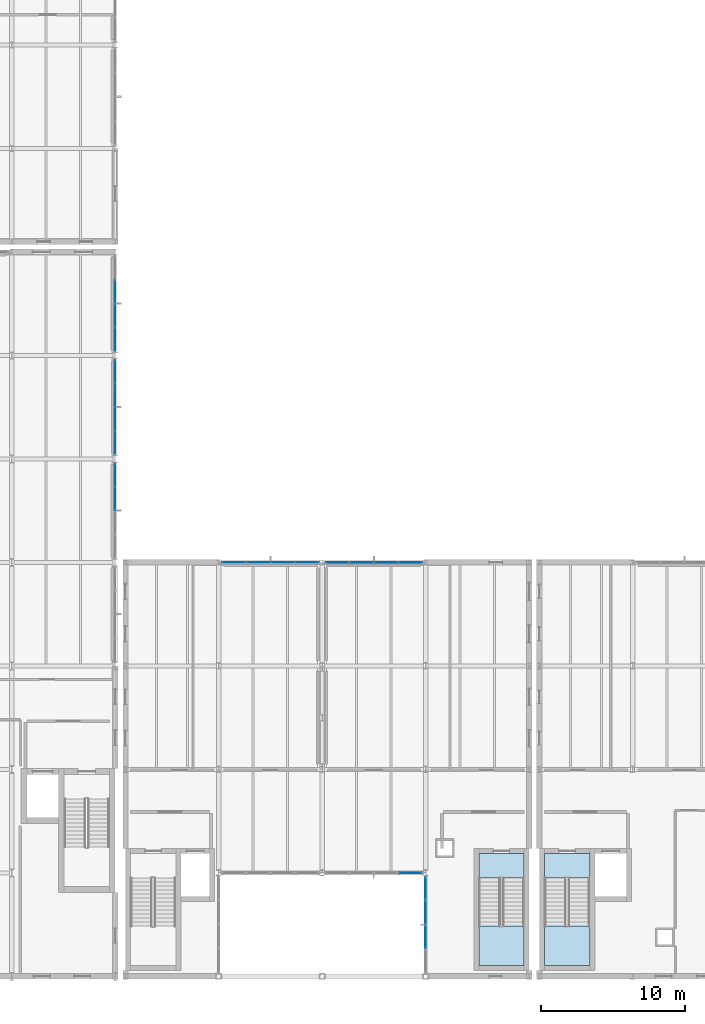
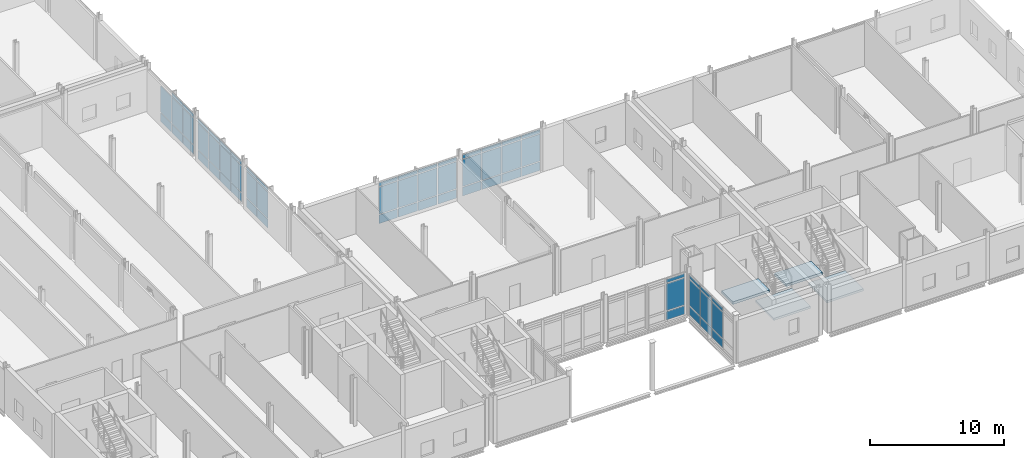
# One storey, part 36 of 76: 62 plates, 4 slabs, 9 elements without a shape of their own.
"""IFC4 building model written with IfcOpenShell, lengths in metres."""

import ifcopenshell
import ifcopenshell.guid

model = None  # the IFC model being written
_history = None  # IfcOwnerHistory: only IFC2X3 demands one
_inside = {}  # id of a spatial element -> (the spatial element, [elements in it])
_under = {}  # id of a project, library or spatial element -> (it, [spatial elements below it])
_declared = {}  # id of a project -> (the project, [libraries it declares])
_typed = {}  # id of a type object -> (the type object, [elements of that type])
_made_of = {}  # id of a material, layer set ... -> (it, [elements and type objects made of it])


def new_model(schema):
    """Start an empty IFC model of exactly this schema.

    Asked for "IFC4X3", IfcOpenShell would pick the latest addendum, in which some entities
    have other attributes; the version numbers below select the first issue.
    IFC2X3 requires an IfcOwnerHistory on every rooted entity: one is made here for all.
    """
    global model, _history
    if schema == "IFC4X3":
        model = ifcopenshell.file(schema_version=(4, 3, 0, 0))
    else:
        model = ifcopenshell.file(schema=schema)
    _inside.clear()
    _under.clear()
    _declared.clear()
    _typed.clear()
    _made_of.clear()
    _history = None
    if model.schema == "IFC2X3":
        org = make("IfcOrganization", Name="unknown")
        user = make(
            "IfcPersonAndOrganization",
            ThePerson=make("IfcPerson", FamilyName="unknown"),
            TheOrganization=org,
        )
        app = make(
            "IfcApplication",
            ApplicationDeveloper=org,
            Version="unknown",
            ApplicationFullName="unknown",
            ApplicationIdentifier="unknown",
        )
        _history = make(
            "IfcOwnerHistory",
            OwningUser=user,
            OwningApplication=app,
            ChangeAction="ADDED",
            CreationDate=0,
        )
    return model


def make(cls, **values):
    """One entity of the class cls with the attributes given. An attribute that is None is left unset."""
    return model.create_entity(
        cls, **{name: value for name, value in values.items() if value is not None}
    )


def rooted(cls, **values):
    """An entity with a GlobalId (a new one), such as an element, a storey or a relation."""
    return make(cls, GlobalId=ifcopenshell.guid.new(), OwnerHistory=_history, **values)


def si_unit(unit_type, name, prefix=None):
    """IfcSIUnit, for example si_unit("LENGTHUNIT", "METRE", prefix="MILLI")."""
    return make("IfcSIUnit", UnitType=unit_type, Prefix=prefix, Name=name)


def assignment(units):
    """IfcUnitAssignment: the units of a project."""
    return None if units is None else make("IfcUnitAssignment", Units=units)


def point(xyz):
    """IfcCartesianPoint."""
    return None if xyz is None else make("IfcCartesianPoint", Coordinates=xyz)


def direction(xyz):
    """IfcDirection."""
    return None if xyz is None else make("IfcDirection", DirectionRatios=xyz)


def frame(location, z_axis=None, x_axis=None):
    """IfcAxis2Placement3D, a coordinate frame: its origin and axes. An axis left out is left unset."""
    return make(
        "IfcAxis2Placement3D",
        Location=point(location),
        Axis=direction(z_axis),
        RefDirection=direction(x_axis),
    )


def frame_2d(location, x_axis=None):
    """IfcAxis2Placement2D, a coordinate frame in the plane: its origin and x axis."""
    return make(
        "IfcAxis2Placement2D", Location=point(location), RefDirection=direction(x_axis)
    )


def origin():
    """The frame at (0, 0, 0) with its axes left unset."""
    return frame((0.0, 0.0, 0.0))


def origin_2d():
    """The frame at (0, 0) in the plane with its x axis left unset."""
    return frame_2d((0.0, 0.0))


def place(relative_to, where):
    """IfcLocalPlacement: puts the frame where relative to a parent placement (None: the world)."""
    return make(
        "IfcLocalPlacement", PlacementRelTo=relative_to, RelativePlacement=where
    )


def context(
    kind, dimensions, precision=None, world=None, true_north=None, identifier=None
):
    """IfcGeometricRepresentationContext, for example the 3D "Model" context."""
    return make(
        "IfcGeometricRepresentationContext",
        ContextIdentifier=identifier,
        ContextType=kind,
        CoordinateSpaceDimension=dimensions,
        Precision=precision,
        WorldCoordinateSystem=world,
        TrueNorth=true_north,
    )


def subcontext(parent, identifier, kind, view, scale=None):
    """IfcGeometricRepresentationSubContext, for example "Body" below "Model"."""
    return make(
        "IfcGeometricRepresentationSubContext",
        ContextIdentifier=identifier,
        ContextType=kind,
        ParentContext=parent,
        TargetScale=scale,
        TargetView=view,
    )


def project(units=None, contexts=None):
    """IfcProject with its units and contexts."""
    return rooted(
        "IfcProject",
        Name="project",
        RepresentationContexts=contexts,
        UnitsInContext=assignment(units),
    )


def spatial(cls, under=None, at=None, **own):
    """A site, building, storey or space (cls), placed at a placement, below another one or the project."""
    s = rooted(cls, ObjectPlacement=at, **own)
    if under is not None:
        _under.setdefault(under.id(), (under, []))[1].append(s)
    return s


def polyline(points):
    """IfcPolyline through the points."""
    return make("IfcPolyline", Points=[point(p) for p in points])


def profile(cls, at=None, kind="AREA", **sizes):
    """A parametric profile (cls). Its sizes go by their IFC names, for example OverallWidth=200.0."""
    return make(cls, ProfileType=kind, Position=at, **sizes)


def rectangle(**sizes):
    """IfcRectangleProfileDef."""
    return profile("IfcRectangleProfileDef", **sizes)


def outline(outer, holes=None, kind="AREA"):
    """IfcArbitraryClosedProfileDef: a profile drawn as a closed curve; with holes, ...WithVoids."""
    if holes is None:
        return make("IfcArbitraryClosedProfileDef", ProfileType=kind, OuterCurve=outer)
    return make(
        "IfcArbitraryProfileDefWithVoids",
        ProfileType=kind,
        OuterCurve=outer,
        InnerCurves=holes,
    )


def extrude(swept, where, along, depth):
    """IfcExtrudedAreaSolid: the profile swept, set in the frame where, extruded along a direction by depth."""
    return make(
        "IfcExtrudedAreaSolid",
        SweptArea=swept,
        Position=where,
        ExtrudedDirection=direction(along),
        Depth=depth,
    )


def shape(context_of_items, identifier, shape_type, items):
    """IfcShapeRepresentation: the items that make up one representation, for example the "Body"."""
    return make(
        "IfcShapeRepresentation",
        ContextOfItems=context_of_items,
        RepresentationIdentifier=identifier,
        RepresentationType=shape_type,
        Items=items,
    )


def material(Name=None, Category=None):
    """IfcMaterial."""
    return make("IfcMaterial", Name=Name, Category=Category)


def layer(
    of_material, thickness, ventilated=None, Name=None, Category=None, Priority=None
):
    """IfcMaterialLayer: one layer of a wall or slab, of a material (None: an air gap)."""
    return make(
        "IfcMaterialLayer",
        Material=of_material,
        LayerThickness=thickness,
        IsVentilated=ventilated,
        Name=Name,
        Category=Category,
        Priority=Priority,
    )


def layer_set(layers, Name=None):
    """IfcMaterialLayerSet."""
    return make("IfcMaterialLayerSet", MaterialLayers=layers, LayerSetName=Name)


def made_of(thing, what):
    """Note that an element or type object is made of a material, layer set ...; save() writes the relation."""
    if what is not None:
        _made_of.setdefault(what.id(), (what, []))[1].append(thing)
    return thing


def type_object(cls, material=None, **own):
    """A type object (cls), such as IfcWallType, which elements share."""
    return made_of(rooted(cls, **own), material)


def element(
    cls,
    number,
    at=None,
    inside=None,
    cuts=None,
    type_object=None,
    material=None,
    context=None,
    identifier="Body",
    shape_type=None,
    held_by="IfcProductDefinitionShape",
    body=None,
    shapes=None,
    **own,
):
    """One element of the class cls, such as IfcWall. Its Tag is "e" and its number.

    at: its placement. inside: the storey or other place that contains it. cuts: it is an
    opening in that element (IfcRelVoidsElement). A single representation is given by context,
    identifier, shape_type and body (its items); several are given by shapes. held_by: the class
    of the entity that holds the representations. save() writes the other relations.
    """
    e = rooted(cls, Tag="e%d" % number, ObjectPlacement=at, **own)
    if body is not None:
        shapes = [shape(context, identifier, shape_type, body)]
    if shapes is not None:
        e.Representation = make(held_by, Representations=shapes)
    if inside is not None:
        _inside.setdefault(inside.id(), (inside, []))[1].append(e)
    if cuts is not None:
        rooted(
            "IfcRelVoidsElement", RelatingBuildingElement=cuts, RelatedOpeningElement=e
        )
    if type_object is not None:
        _typed.setdefault(type_object.id(), (type_object, []))[1].append(e)
    return made_of(e, material)


def aggregate(whole, parts):
    """IfcRelAggregates: a whole, such as a stair, and the parts it consists of."""
    return rooted("IfcRelAggregates", RelatingObject=whole, RelatedObjects=parts)


def save(model, path):
    """Write the relations noted so far, then the file.

    IfcRelAggregates (storeys below a building ...), IfcRelContainedInSpatialStructure (elements
    in a storey), IfcRelDefinesByType, IfcRelAssociatesMaterial and IfcRelDeclares: one each for
    every whole, place, type object, material and project.
    """
    for whole, parts in _under.values():
        aggregate(whole, parts)
    for where, things in _inside.values():
        rooted(
            "IfcRelContainedInSpatialStructure",
            RelatedElements=things,
            RelatingStructure=where,
        )
    for kind, things in _typed.values():
        rooted("IfcRelDefinesByType", RelatedObjects=things, RelatingType=kind)
    for what, things in _made_of.values():
        rooted("IfcRelAssociatesMaterial", RelatedObjects=things, RelatingMaterial=what)
    for by, libraries in _declared.values():
        rooted("IfcRelDeclares", RelatingContext=by, RelatedDefinitions=libraries)
    model.write(path)


model = new_model("IFC4")

# Units and contexts
model_context = context("Model", 3, precision=1e-05, world=origin(), true_north=direction((0.0, 1.0)))
body_context = subcontext(model_context, "Body", "Model", "MODEL_VIEW")
ifc_project = project(units=[si_unit("LENGTHUNIT", "METRE"), si_unit("AREAUNIT", "SQUARE_METRE"), si_unit("VOLUMEUNIT", "CUBIC_METRE"), si_unit("PLANEANGLEUNIT", "RADIAN"), si_unit("MASSUNIT", "GRAM", prefix="KILO")], contexts=[model_context])

# Site, building, storey
site_placement = place(None, origin())
site = spatial("IfcSite", under=ifc_project, at=site_placement, CompositionType="ELEMENT")
building_placement = place(site_placement, origin())
building = spatial("IfcBuilding", under=site, at=building_placement, Name="Zarrinpeak Specialist Clinic", CompositionType="ELEMENT")
storey_placement = place(building_placement, frame((0.0, 0.0, 5.199951171875)))
storey = spatial("IfcBuildingStorey", under=building, at=storey_placement, Name="L01", CompositionType="ELEMENT", Elevation=5.199951171875)

# Curtain wall, plates
ifc_material_1 = material(Name="Anodised Aluminium Alloy 6063-T6", Category="aluminium")
ifc_layer_1 = layer(ifc_material_1, 0.179931640625)
ifc_layer_set_1 = layer_set([ifc_layer_1], Name="Anodised Aluminium Alloy 6063-T6")
curtain_wall_type_1 = type_object("IfcCurtainWallType", Name="CW-COURT", PredefinedType="NOTDEFINED", material=ifc_layer_set_1)
curtain_wall_1_placement = place(storey_placement, origin())
curtain_wall_1 = element("IfcCurtainWall", 1, at=curtain_wall_1_placement, inside=storey, type_object=curtain_wall_type_1, Name="L01 V1 Unitised Curtain Wall CW-L01-V1-010", PredefinedType="NOTDEFINED")
ifc_material_2 = material(Name="Double Low-E Insulated Glazing", Category="glass")
ifc_layer_2 = layer(ifc_material_2, 0.028076171875)
ifc_layer_set_2 = layer_set([ifc_layer_2], Name="Double Low-E Insulated Glazing")
plate_type = type_object("IfcPlateType", Name="CWP-GLZ28", PredefinedType="CURTAIN_PANEL", material=ifc_layer_set_2)
plate_1_placement = place(storey_placement, frame((28.800048828125, 33.231201171875, 0.074951171875), z_axis=(0.0, 0.0, 1.0), x_axis=(0.0, 1.0, 0.0)))
plate_1 = element("IfcPlate", 2, at=plate_1_placement, type_object=plate_type, Name="CW-01 panel 3.1", PredefinedType="CURTAIN_PANEL", context=body_context, shape_type="SweptSolid", body=[
    extrude(rectangle(XDim=1.58740234375, YDim=0.028076171875, at=origin_2d()), origin(), (0.0, 0.0, 1.0), 0.78759765625),
])
plate_2_placement = place(storey_placement, frame((28.800048828125, 33.231201171875, 0.9375), z_axis=(0.0, 0.0, 1.0), x_axis=(0.0, 1.0, 0.0)))
plate_2 = element("IfcPlate", 3, at=plate_2_placement, type_object=plate_type, Name="CW-01 panel 3.2", PredefinedType="CURTAIN_PANEL", context=body_context, shape_type="SweptSolid", body=[
    extrude(rectangle(XDim=1.58740234375, YDim=0.028076171875, at=origin_2d()), origin(), (0.0, 0.0, 1.0), 2.385009765625),
])
plate_3_placement = place(storey_placement, frame((28.800048828125, 33.231201171875, 3.397705078125), z_axis=(0.0, 0.0, 1.0), x_axis=(0.0, 1.0, 0.0)))
plate_3 = element("IfcPlate", 4, at=plate_3_placement, type_object=plate_type, Name="CW-01 panel 3.3", PredefinedType="CURTAIN_PANEL", context=body_context, shape_type="SweptSolid", body=[
    extrude(rectangle(XDim=1.58740234375, YDim=0.028076171875, at=origin_2d()), origin(), (0.0, 0.0, 1.0), 0.33740234375),
])
plate_4_placement = place(storey_placement, frame((28.800048828125, 34.875, 0.074951171875), z_axis=(0.0, 0.0, 1.0), x_axis=(0.0, 1.0, 0.0)))
plate_4 = element("IfcPlate", 5, at=plate_4_placement, type_object=plate_type, Name="CW-01 panel 4.1", PredefinedType="CURTAIN_PANEL", context=body_context, shape_type="SweptSolid", body=[
    extrude(rectangle(XDim=1.550048828125, YDim=0.028076171875, at=origin_2d()), origin(), (0.0, 0.0, 1.0), 0.78759765625),
])
plate_5_placement = place(storey_placement, frame((28.800048828125, 34.875, 0.9375), z_axis=(0.0, 0.0, 1.0), x_axis=(0.0, 1.0, 0.0)))
plate_5 = element("IfcPlate", 6, at=plate_5_placement, type_object=plate_type, Name="CW-01 panel 4.2", PredefinedType="CURTAIN_PANEL", context=body_context, shape_type="SweptSolid", body=[
    extrude(rectangle(XDim=1.550048828125, YDim=0.028076171875, at=origin_2d()), origin(), (0.0, 0.0, 1.0), 2.385009765625),
])
plate_6_placement = place(storey_placement, frame((28.800048828125, 34.875, 3.397705078125), z_axis=(0.0, 0.0, 1.0), x_axis=(0.0, 1.0, 0.0)))
plate_6 = element("IfcPlate", 7, at=plate_6_placement, type_object=plate_type, Name="CW-01 panel 4.3", PredefinedType="CURTAIN_PANEL", context=body_context, shape_type="SweptSolid", body=[
    extrude(rectangle(XDim=1.550048828125, YDim=0.028076171875, at=origin_2d()), origin(), (0.0, 0.0, 1.0), 0.33740234375),
])
aggregate(curtain_wall_1, [plate_1, plate_2, plate_3, plate_4, plate_5, plate_6])

curtain_wall_2_placement = place(storey_placement, origin())
curtain_wall_2 = element("IfcCurtainWall", 8, at=curtain_wall_2_placement, inside=storey, type_object=curtain_wall_type_1, Name="L01 V1 Unitised Curtain Wall CW-L01-V1-011", PredefinedType="NOTDEFINED")
plate_7_placement = place(storey_placement, frame((28.800048828125, 37.128173828125, 0.074951171875), z_axis=(0.0, 0.0, 1.0), x_axis=(0.0, 1.0, 0.0)))
plate_7 = element("IfcPlate", 9, at=plate_7_placement, type_object=plate_type, Name="CW-01 panel 1.1", PredefinedType="CURTAIN_PANEL", context=body_context, shape_type="SweptSolid", body=[
    extrude(rectangle(XDim=1.55615234375, YDim=0.028076171875, at=origin_2d()), origin(), (0.0, 0.0, 1.0), 0.78759765625),
])
plate_8_placement = place(storey_placement, frame((28.800048828125, 37.128173828125, 0.9375), z_axis=(0.0, 0.0, 1.0), x_axis=(0.0, 1.0, 0.0)))
plate_8 = element("IfcPlate", 10, at=plate_8_placement, type_object=plate_type, Name="CW-01 panel 1.2", PredefinedType="CURTAIN_PANEL", context=body_context, shape_type="SweptSolid", body=[
    extrude(rectangle(XDim=1.55615234375, YDim=0.028076171875, at=origin_2d()), origin(), (0.0, 0.0, 1.0), 2.385009765625),
])
plate_9_placement = place(storey_placement, frame((28.800048828125, 37.128173828125, 3.397705078125), z_axis=(0.0, 0.0, 1.0), x_axis=(0.0, 1.0, 0.0)))
plate_9 = element("IfcPlate", 11, at=plate_9_placement, type_object=plate_type, Name="CW-01 panel 1.3", PredefinedType="CURTAIN_PANEL", context=body_context, shape_type="SweptSolid", body=[
    extrude(rectangle(XDim=1.55615234375, YDim=0.028076171875, at=origin_2d()), origin(), (0.0, 0.0, 1.0), 0.33740234375),
])
plate_10_placement = place(storey_placement, frame((28.800048828125, 38.778076171875, 0.074951171875), z_axis=(0.0, 0.0, 1.0), x_axis=(0.0, 1.0, 0.0)))
plate_10 = element("IfcPlate", 12, at=plate_10_placement, type_object=plate_type, Name="CW-01 panel 2.1", PredefinedType="CURTAIN_PANEL", context=body_context, shape_type="SweptSolid", body=[
    extrude(rectangle(XDim=1.59375, YDim=0.028076171875, at=origin_2d()), origin(), (0.0, 0.0, 1.0), 0.78759765625),
])
plate_11_placement = place(storey_placement, frame((28.800048828125, 38.778076171875, 0.9375), z_axis=(0.0, 0.0, 1.0), x_axis=(0.0, 1.0, 0.0)))
plate_11 = element("IfcPlate", 13, at=plate_11_placement, type_object=plate_type, Name="CW-01 panel 2.2", PredefinedType="CURTAIN_PANEL", context=body_context, shape_type="SweptSolid", body=[
    extrude(rectangle(XDim=1.59375, YDim=0.028076171875, at=origin_2d()), origin(), (0.0, 0.0, 1.0), 2.385009765625),
])
plate_12_placement = place(storey_placement, frame((28.800048828125, 38.778076171875, 3.397705078125), z_axis=(0.0, 0.0, 1.0), x_axis=(0.0, 1.0, 0.0)))
plate_12 = element("IfcPlate", 14, at=plate_12_placement, type_object=plate_type, Name="CW-01 panel 2.3", PredefinedType="CURTAIN_PANEL", context=body_context, shape_type="SweptSolid", body=[
    extrude(rectangle(XDim=1.59375, YDim=0.028076171875, at=origin_2d()), origin(), (0.0, 0.0, 1.0), 0.33740234375),
])
plate_13_placement = place(storey_placement, frame((28.800048828125, 40.44677734375, 0.074951171875), z_axis=(0.0, 0.0, 1.0), x_axis=(0.0, 1.0, 0.0)))
plate_13 = element("IfcPlate", 15, at=plate_13_placement, type_object=plate_type, Name="CW-01 panel 3.1", PredefinedType="CURTAIN_PANEL", context=body_context, shape_type="SweptSolid", body=[
    extrude(rectangle(XDim=1.59375, YDim=0.028076171875, at=origin_2d()), origin(), (0.0, 0.0, 1.0), 0.78759765625),
])
plate_14_placement = place(storey_placement, frame((28.800048828125, 40.44677734375, 0.9375), z_axis=(0.0, 0.0, 1.0), x_axis=(0.0, 1.0, 0.0)))
plate_14 = element("IfcPlate", 16, at=plate_14_placement, type_object=plate_type, Name="CW-01 panel 3.2", PredefinedType="CURTAIN_PANEL", context=body_context, shape_type="SweptSolid", body=[
    extrude(rectangle(XDim=1.59375, YDim=0.028076171875, at=origin_2d()), origin(), (0.0, 0.0, 1.0), 2.385009765625),
])
plate_15_placement = place(storey_placement, frame((28.800048828125, 40.44677734375, 3.397705078125), z_axis=(0.0, 0.0, 1.0), x_axis=(0.0, 1.0, 0.0)))
plate_15 = element("IfcPlate", 17, at=plate_15_placement, type_object=plate_type, Name="CW-01 panel 3.3", PredefinedType="CURTAIN_PANEL", context=body_context, shape_type="SweptSolid", body=[
    extrude(rectangle(XDim=1.59375, YDim=0.028076171875, at=origin_2d()), origin(), (0.0, 0.0, 1.0), 0.33740234375),
])
plate_16_placement = place(storey_placement, frame((28.800048828125, 42.096923828125, 0.074951171875), z_axis=(0.0, 0.0, 1.0), x_axis=(0.0, 1.0, 0.0)))
plate_16 = element("IfcPlate", 18, at=plate_16_placement, type_object=plate_type, Name="CW-01 panel 4.1", PredefinedType="CURTAIN_PANEL", context=body_context, shape_type="SweptSolid", body=[
    extrude(rectangle(XDim=1.55615234375, YDim=0.028076171875, at=origin_2d()), origin(), (0.0, 0.0, 1.0), 0.78759765625),
])
plate_17_placement = place(storey_placement, frame((28.800048828125, 42.096923828125, 0.9375), z_axis=(0.0, 0.0, 1.0), x_axis=(0.0, 1.0, 0.0)))
plate_17 = element("IfcPlate", 19, at=plate_17_placement, type_object=plate_type, Name="CW-01 panel 4.2", PredefinedType="CURTAIN_PANEL", context=body_context, shape_type="SweptSolid", body=[
    extrude(rectangle(XDim=1.55615234375, YDim=0.028076171875, at=origin_2d()), origin(), (0.0, 0.0, 1.0), 2.385009765625),
])
plate_18_placement = place(storey_placement, frame((28.800048828125, 42.096923828125, 3.397705078125), z_axis=(0.0, 0.0, 1.0), x_axis=(0.0, 1.0, 0.0)))
plate_18 = element("IfcPlate", 20, at=plate_18_placement, type_object=plate_type, Name="CW-01 panel 4.3", PredefinedType="CURTAIN_PANEL", context=body_context, shape_type="SweptSolid", body=[
    extrude(rectangle(XDim=1.55615234375, YDim=0.028076171875, at=origin_2d()), origin(), (0.0, 0.0, 1.0), 0.33740234375),
])
aggregate(curtain_wall_2, [plate_7, plate_8, plate_9, plate_10, plate_11, plate_12, plate_13, plate_14, plate_15, plate_16, plate_17, plate_18])

curtain_wall_3_placement = place(storey_placement, origin())
curtain_wall_3 = element("IfcCurtainWall", 21, at=curtain_wall_3_placement, inside=storey, type_object=curtain_wall_type_1, Name="L01 V1 Unitised Curtain Wall CW-L01-V1-012", PredefinedType="NOTDEFINED")
plate_19_placement = place(storey_placement, frame((28.800048828125, 44.309326171875, 0.074951171875), z_axis=(0.0, 0.0, 1.0), x_axis=(0.0, 1.0, 0.0)))
plate_19 = element("IfcPlate", 22, at=plate_19_placement, type_object=plate_type, Name="CW-01 panel 1.1", PredefinedType="CURTAIN_PANEL", context=body_context, shape_type="SweptSolid", body=[
    extrude(rectangle(XDim=1.56884765625, YDim=0.028076171875, at=origin_2d()), origin(), (0.0, 0.0, 1.0), 0.78759765625),
])
plate_20_placement = place(storey_placement, frame((28.800048828125, 44.309326171875, 0.9375), z_axis=(0.0, 0.0, 1.0), x_axis=(0.0, 1.0, 0.0)))
plate_20 = element("IfcPlate", 23, at=plate_20_placement, type_object=plate_type, Name="CW-01 panel 1.2", PredefinedType="CURTAIN_PANEL", context=body_context, shape_type="SweptSolid", body=[
    extrude(rectangle(XDim=1.56884765625, YDim=0.028076171875, at=origin_2d()), origin(), (0.0, 0.0, 1.0), 2.385009765625),
])
plate_21_placement = place(storey_placement, frame((28.800048828125, 44.309326171875, 3.397705078125), z_axis=(0.0, 0.0, 1.0), x_axis=(0.0, 1.0, 0.0)))
plate_21 = element("IfcPlate", 24, at=plate_21_placement, type_object=plate_type, Name="CW-01 panel 1.3", PredefinedType="CURTAIN_PANEL", context=body_context, shape_type="SweptSolid", body=[
    extrude(rectangle(XDim=1.56884765625, YDim=0.028076171875, at=origin_2d()), origin(), (0.0, 0.0, 1.0), 0.33740234375),
])
plate_22_placement = place(storey_placement, frame((28.800048828125, 45.971923828125, 0.074951171875), z_axis=(0.0, 0.0, 1.0), x_axis=(0.0, 1.0, 0.0)))
plate_22 = element("IfcPlate", 25, at=plate_22_placement, type_object=plate_type, Name="CW-01 panel 2.1", PredefinedType="CURTAIN_PANEL", context=body_context, shape_type="SweptSolid", body=[
    extrude(rectangle(XDim=1.606201171875, YDim=0.028076171875, at=origin_2d()), origin(), (0.0, 0.0, 1.0), 0.78759765625),
])
plate_23_placement = place(storey_placement, frame((28.800048828125, 45.971923828125, 0.9375), z_axis=(0.0, 0.0, 1.0), x_axis=(0.0, 1.0, 0.0)))
plate_23 = element("IfcPlate", 26, at=plate_23_placement, type_object=plate_type, Name="CW-01 panel 2.2", PredefinedType="CURTAIN_PANEL", context=body_context, shape_type="SweptSolid", body=[
    extrude(rectangle(XDim=1.606201171875, YDim=0.028076171875, at=origin_2d()), origin(), (0.0, 0.0, 1.0), 2.385009765625),
])
plate_24_placement = place(storey_placement, frame((28.800048828125, 45.971923828125, 3.397705078125), z_axis=(0.0, 0.0, 1.0), x_axis=(0.0, 1.0, 0.0)))
plate_24 = element("IfcPlate", 27, at=plate_24_placement, type_object=plate_type, Name="CW-01 panel 2.3", PredefinedType="CURTAIN_PANEL", context=body_context, shape_type="SweptSolid", body=[
    extrude(rectangle(XDim=1.606201171875, YDim=0.028076171875, at=origin_2d()), origin(), (0.0, 0.0, 1.0), 0.33740234375),
])
plate_25_placement = place(storey_placement, frame((28.800048828125, 47.653076171875, 0.074951171875), z_axis=(0.0, 0.0, 1.0), x_axis=(0.0, 1.0, 0.0)))
plate_25 = element("IfcPlate", 28, at=plate_25_placement, type_object=plate_type, Name="CW-01 panel 3.1", PredefinedType="CURTAIN_PANEL", context=body_context, shape_type="SweptSolid", body=[
    extrude(rectangle(XDim=1.606201171875, YDim=0.028076171875, at=origin_2d()), origin(), (0.0, 0.0, 1.0), 0.78759765625),
])
plate_26_placement = place(storey_placement, frame((28.800048828125, 47.653076171875, 0.9375), z_axis=(0.0, 0.0, 1.0), x_axis=(0.0, 1.0, 0.0)))
plate_26 = element("IfcPlate", 29, at=plate_26_placement, type_object=plate_type, Name="CW-01 panel 3.2", PredefinedType="CURTAIN_PANEL", context=body_context, shape_type="SweptSolid", body=[
    extrude(rectangle(XDim=1.606201171875, YDim=0.028076171875, at=origin_2d()), origin(), (0.0, 0.0, 1.0), 2.385009765625),
])
aggregate(curtain_wall_3, [plate_19, plate_20, plate_21, plate_22, plate_23, plate_24, plate_25, plate_26])

ifc_layer_3 = layer(ifc_material_1, 0.18994140625)
ifc_layer_set_3 = layer_set([ifc_layer_3], Name="Anodised Aluminium Alloy 6063-T6")
curtain_wall_type_2 = type_object("IfcCurtainWallType", Name="CW-LOGGIA", PredefinedType="NOTDEFINED", material=ifc_layer_set_3)
curtain_wall_4_placement = place(storey_placement, origin())
curtain_wall_4 = element("IfcCurtainWall", 30, at=curtain_wall_4_placement, inside=storey, type_object=curtain_wall_type_2, Name="L01 V2 Unitised Curtain Wall CW-L01-V2-046", PredefinedType="NOTDEFINED")
plate_27_placement = place(storey_placement, frame((49.34619140625, 7.199951171875, 0.09033203125), z_axis=(0.0, 0.0, 1.0), x_axis=(1.0, 0.0, 0.0)))
plate_27 = element("IfcPlate", 31, at=plate_27_placement, type_object=plate_type, Name="CW-04 panel 4.1", PredefinedType="CURTAIN_PANEL", context=body_context, shape_type="SweptSolid", body=[
    extrude(rectangle(XDim=1.577392578125, YDim=0.028076171875, at=origin_2d()), origin(), (0.0, 0.0, 1.0), 0.764892578125),
])
plate_28_placement = place(storey_placement, frame((49.34619140625, 7.199951171875, 0.945068359375), z_axis=(0.0, 0.0, 1.0), x_axis=(1.0, 0.0, 0.0)))
plate_28 = element("IfcPlate", 32, at=plate_28_placement, type_object=plate_type, Name="CW-04 panel 4.2", PredefinedType="CURTAIN_PANEL", context=body_context, shape_type="SweptSolid", body=[
    extrude(rectangle(XDim=1.577392578125, YDim=0.028076171875, at=origin_2d()), origin(), (0.0, 0.0, 1.0), 2.43994140625),
])
plate_29_placement = place(storey_placement, frame((49.34619140625, 7.199951171875, 3.47509765625), z_axis=(0.0, 0.0, 1.0), x_axis=(1.0, 0.0, 0.0)))
plate_29 = element("IfcPlate", 33, at=plate_29_placement, type_object=plate_type, Name="CW-04 panel 4.3", PredefinedType="CURTAIN_PANEL", context=body_context, shape_type="SweptSolid", body=[
    extrude(rectangle(XDim=1.577392578125, YDim=0.028076171875, at=origin_2d()), origin(), (0.0, 0.0, 1.0), 0.31494140625),
])
aggregate(curtain_wall_4, [plate_27, plate_28, plate_29])

curtain_wall_5_placement = place(storey_placement, origin())
curtain_wall_5 = element("IfcCurtainWall", 34, at=curtain_wall_5_placement, inside=storey, type_object=curtain_wall_type_2, Name="L01 V2 Unitised Curtain Wall CW-L01-V2-048", PredefinedType="NOTDEFINED")
plate_30_placement = place(storey_placement, frame((50.39990234375, 6.109130859375, 0.09033203125), z_axis=(0.0, 0.0, 1.0), x_axis=(0.0, -1.0, 0.0)))
plate_30 = element("IfcPlate", 35, at=plate_30_placement, type_object=plate_type, Name="CW-04 panel 1.1", PredefinedType="CURTAIN_PANEL", context=body_context, shape_type="SweptSolid", body=[
    extrude(rectangle(XDim=1.5517578125, YDim=0.028076171875, at=origin_2d()), origin(), (0.0, 0.0, 1.0), 0.764892578125),
])
plate_31_placement = place(storey_placement, frame((50.39990234375, 6.109130859375, 0.945068359375), z_axis=(0.0, 0.0, 1.0), x_axis=(0.0, -1.0, 0.0)))
plate_31 = element("IfcPlate", 36, at=plate_31_placement, type_object=plate_type, Name="CW-04 panel 1.2", PredefinedType="CURTAIN_PANEL", context=body_context, shape_type="SweptSolid", body=[
    extrude(rectangle(XDim=1.5517578125, YDim=0.028076171875, at=origin_2d()), origin(), (0.0, 0.0, 1.0), 2.3701171875),
])
plate_32_placement = place(storey_placement, frame((50.39990234375, 6.109130859375, 3.405029296875), z_axis=(0.0, 0.0, 1.0), x_axis=(0.0, -1.0, 0.0)))
plate_32 = element("IfcPlate", 37, at=plate_32_placement, type_object=plate_type, Name="CW-04 panel 1.3", PredefinedType="CURTAIN_PANEL", context=body_context, shape_type="SweptSolid", body=[
    extrude(rectangle(XDim=1.5517578125, YDim=0.028076171875, at=origin_2d()), origin(), (0.0, 0.0, 1.0), 0.31494140625),
])
plate_33_placement = place(storey_placement, frame((50.39990234375, 4.445068359375, 0.09033203125), z_axis=(0.0, 0.0, 1.0), x_axis=(0.0, -1.0, 0.0)))
plate_33 = element("IfcPlate", 38, at=plate_33_placement, type_object=plate_type, Name="CW-04 panel 2.1", PredefinedType="CURTAIN_PANEL", context=body_context, shape_type="SweptSolid", body=[
    extrude(rectangle(XDim=1.5966796875, YDim=0.028076171875, at=origin_2d()), origin(), (0.0, 0.0, 1.0), 0.764892578125),
])
plate_34_placement = place(storey_placement, frame((50.39990234375, 4.445068359375, 0.945068359375), z_axis=(0.0, 0.0, 1.0), x_axis=(0.0, -1.0, 0.0)))
plate_34 = element("IfcPlate", 39, at=plate_34_placement, type_object=plate_type, Name="CW-04 panel 2.2", PredefinedType="CURTAIN_PANEL", context=body_context, shape_type="SweptSolid", body=[
    extrude(rectangle(XDim=1.5966796875, YDim=0.028076171875, at=origin_2d()), origin(), (0.0, 0.0, 1.0), 2.3701171875),
])
plate_35_placement = place(storey_placement, frame((50.39990234375, 4.445068359375, 3.405029296875), z_axis=(0.0, 0.0, 1.0), x_axis=(0.0, -1.0, 0.0)))
plate_35 = element("IfcPlate", 40, at=plate_35_placement, type_object=plate_type, Name="CW-04 panel 2.3", PredefinedType="CURTAIN_PANEL", context=body_context, shape_type="SweptSolid", body=[
    extrude(rectangle(XDim=1.5966796875, YDim=0.028076171875, at=origin_2d()), origin(), (0.0, 0.0, 1.0), 0.31494140625),
])
plate_36_placement = place(storey_placement, frame((50.39990234375, 2.75830078125, 0.09033203125), z_axis=(0.0, 0.0, 1.0), x_axis=(0.0, -1.0, 0.0)))
plate_36 = element("IfcPlate", 41, at=plate_36_placement, type_object=plate_type, Name="CW-04 panel 3.1", PredefinedType="CURTAIN_PANEL", context=body_context, shape_type="SweptSolid", body=[
    extrude(rectangle(XDim=1.5966796875, YDim=0.028076171875, at=origin_2d()), origin(), (0.0, 0.0, 1.0), 0.764892578125),
])
plate_37_placement = place(storey_placement, frame((50.39990234375, 2.75830078125, 0.945068359375), z_axis=(0.0, 0.0, 1.0), x_axis=(0.0, -1.0, 0.0)))
plate_37 = element("IfcPlate", 42, at=plate_37_placement, type_object=plate_type, Name="CW-04 panel 3.2", PredefinedType="CURTAIN_PANEL", context=body_context, shape_type="SweptSolid", body=[
    extrude(rectangle(XDim=1.5966796875, YDim=0.028076171875, at=origin_2d()), origin(), (0.0, 0.0, 1.0), 2.3701171875),
])
plate_38_placement = place(storey_placement, frame((50.39990234375, 2.75830078125, 3.405029296875), z_axis=(0.0, 0.0, 1.0), x_axis=(0.0, -1.0, 0.0)))
plate_38 = element("IfcPlate", 43, at=plate_38_placement, type_object=plate_type, Name="CW-04 panel 3.3", PredefinedType="CURTAIN_PANEL", context=body_context, shape_type="SweptSolid", body=[
    extrude(rectangle(XDim=1.5966796875, YDim=0.028076171875, at=origin_2d()), origin(), (0.0, 0.0, 1.0), 0.31494140625),
])
aggregate(curtain_wall_5, [plate_30, plate_31, plate_32, plate_33, plate_34, plate_35, plate_36, plate_37, plate_38])

curtain_wall_6_placement = place(storey_placement, origin())
curtain_wall_6 = element("IfcCurtainWall", 44, at=curtain_wall_6_placement, inside=storey, type_object=curtain_wall_type_1, Name="L01 V2 Unitised Curtain Wall CW-L01-V2-049", PredefinedType="NOTDEFINED")
plate_39_placement = place(storey_placement, frame((42.14990234375, 28.800048828125, 0.074951171875), z_axis=(0.0, 0.0, 1.0), x_axis=(-1.0, 0.0, 0.0)))
plate_39 = element("IfcPlate", 45, at=plate_39_placement, type_object=plate_type, Name="CW-01 panel 1.1", PredefinedType="CURTAIN_PANEL", context=body_context, shape_type="SweptSolid", body=[
    extrude(rectangle(XDim=1.60009765625, YDim=0.028076171875, at=origin_2d()), origin(), (0.0, 0.0, 1.0), 0.78759765625),
])
plate_40_placement = place(storey_placement, frame((42.14990234375, 28.800048828125, 0.9375), z_axis=(0.0, 0.0, 1.0), x_axis=(-1.0, 0.0, 0.0)))
plate_40 = element("IfcPlate", 46, at=plate_40_placement, type_object=plate_type, Name="CW-01 panel 1.2", PredefinedType="CURTAIN_PANEL", context=body_context, shape_type="SweptSolid", body=[
    extrude(rectangle(XDim=1.60009765625, YDim=0.028076171875, at=origin_2d()), origin(), (0.0, 0.0, 1.0), 2.455078125),
])
plate_41_placement = place(storey_placement, frame((42.14990234375, 28.800048828125, 3.467529296875), z_axis=(0.0, 0.0, 1.0), x_axis=(-1.0, 0.0, 0.0)))
plate_41 = element("IfcPlate", 47, at=plate_41_placement, type_object=plate_type, Name="CW-01 panel 1.3", PredefinedType="CURTAIN_PANEL", context=body_context, shape_type="SweptSolid", body=[
    extrude(rectangle(XDim=1.60009765625, YDim=0.028076171875, at=origin_2d()), origin(), (0.0, 0.0, 1.0), 0.33740234375),
])
plate_42_placement = place(storey_placement, frame((40.456298828125, 28.800048828125, 0.074951171875), z_axis=(0.0, 0.0, 1.0), x_axis=(-1.0, 0.0, 0.0)))
plate_42 = element("IfcPlate", 48, at=plate_42_placement, type_object=plate_type, Name="CW-01 panel 2.1", PredefinedType="CURTAIN_PANEL", context=body_context, shape_type="SweptSolid", body=[
    extrude(rectangle(XDim=1.637451171875, YDim=0.028076171875, at=origin_2d()), origin(), (0.0, 0.0, 1.0), 0.78759765625),
])
plate_43_placement = place(storey_placement, frame((40.456298828125, 28.800048828125, 0.9375), z_axis=(0.0, 0.0, 1.0), x_axis=(-1.0, 0.0, 0.0)))
plate_43 = element("IfcPlate", 49, at=plate_43_placement, type_object=plate_type, Name="CW-01 panel 2.2", PredefinedType="CURTAIN_PANEL", context=body_context, shape_type="SweptSolid", body=[
    extrude(rectangle(XDim=1.637451171875, YDim=0.028076171875, at=origin_2d()), origin(), (0.0, 0.0, 1.0), 2.455078125),
])
plate_44_placement = place(storey_placement, frame((40.456298828125, 28.800048828125, 3.467529296875), z_axis=(0.0, 0.0, 1.0), x_axis=(-1.0, 0.0, 0.0)))
plate_44 = element("IfcPlate", 50, at=plate_44_placement, type_object=plate_type, Name="CW-01 panel 2.3", PredefinedType="CURTAIN_PANEL", context=body_context, shape_type="SweptSolid", body=[
    extrude(rectangle(XDim=1.637451171875, YDim=0.028076171875, at=origin_2d()), origin(), (0.0, 0.0, 1.0), 0.33740234375),
])
plate_45_placement = place(storey_placement, frame((38.74365234375, 28.800048828125, 0.074951171875), z_axis=(0.0, 0.0, 1.0), x_axis=(-1.0, 0.0, 0.0)))
plate_45 = element("IfcPlate", 51, at=plate_45_placement, type_object=plate_type, Name="CW-01 panel 3.1", PredefinedType="CURTAIN_PANEL", context=body_context, shape_type="SweptSolid", body=[
    extrude(rectangle(XDim=1.637451171875, YDim=0.028076171875, at=origin_2d()), origin(), (0.0, 0.0, 1.0), 0.78759765625),
])
plate_46_placement = place(storey_placement, frame((38.74365234375, 28.800048828125, 0.9375), z_axis=(0.0, 0.0, 1.0), x_axis=(-1.0, 0.0, 0.0)))
plate_46 = element("IfcPlate", 52, at=plate_46_placement, type_object=plate_type, Name="CW-01 panel 3.2", PredefinedType="CURTAIN_PANEL", context=body_context, shape_type="SweptSolid", body=[
    extrude(rectangle(XDim=1.637451171875, YDim=0.028076171875, at=origin_2d()), origin(), (0.0, 0.0, 1.0), 2.455078125),
])
plate_47_placement = place(storey_placement, frame((38.74365234375, 28.800048828125, 3.467529296875), z_axis=(0.0, 0.0, 1.0), x_axis=(-1.0, 0.0, 0.0)))
plate_47 = element("IfcPlate", 53, at=plate_47_placement, type_object=plate_type, Name="CW-01 panel 3.3", PredefinedType="CURTAIN_PANEL", context=body_context, shape_type="SweptSolid", body=[
    extrude(rectangle(XDim=1.637451171875, YDim=0.028076171875, at=origin_2d()), origin(), (0.0, 0.0, 1.0), 0.33740234375),
])
plate_48_placement = place(storey_placement, frame((37.050048828125, 28.800048828125, 0.074951171875), z_axis=(0.0, 0.0, 1.0), x_axis=(-1.0, 0.0, 0.0)))
plate_48 = element("IfcPlate", 54, at=plate_48_placement, type_object=plate_type, Name="CW-01 panel 4.1", PredefinedType="CURTAIN_PANEL", context=body_context, shape_type="SweptSolid", body=[
    extrude(rectangle(XDim=1.60009765625, YDim=0.028076171875, at=origin_2d()), origin(), (0.0, 0.0, 1.0), 0.78759765625),
])
plate_49_placement = place(storey_placement, frame((37.050048828125, 28.800048828125, 0.9375), z_axis=(0.0, 0.0, 1.0), x_axis=(-1.0, 0.0, 0.0)))
plate_49 = element("IfcPlate", 55, at=plate_49_placement, type_object=plate_type, Name="CW-01 panel 4.2", PredefinedType="CURTAIN_PANEL", context=body_context, shape_type="SweptSolid", body=[
    extrude(rectangle(XDim=1.60009765625, YDim=0.028076171875, at=origin_2d()), origin(), (0.0, 0.0, 1.0), 2.455078125),
])
plate_50_placement = place(storey_placement, frame((37.050048828125, 28.800048828125, 3.467529296875), z_axis=(0.0, 0.0, 1.0), x_axis=(-1.0, 0.0, 0.0)))
plate_50 = element("IfcPlate", 56, at=plate_50_placement, type_object=plate_type, Name="CW-01 panel 4.3", PredefinedType="CURTAIN_PANEL", context=body_context, shape_type="SweptSolid", body=[
    extrude(rectangle(XDim=1.60009765625, YDim=0.028076171875, at=origin_2d()), origin(), (0.0, 0.0, 1.0), 0.33740234375),
])
aggregate(curtain_wall_6, [plate_39, plate_40, plate_41, plate_42, plate_43, plate_44, plate_45, plate_46, plate_47, plate_48, plate_49, plate_50])

curtain_wall_7_placement = place(storey_placement, origin())
curtain_wall_7 = element("IfcCurtainWall", 57, at=curtain_wall_7_placement, inside=storey, type_object=curtain_wall_type_1, Name="L01 V2 Unitised Curtain Wall CW-L01-V2-050", PredefinedType="NOTDEFINED")
plate_51_placement = place(storey_placement, frame((49.35009765625, 28.800048828125, 0.074951171875), z_axis=(0.0, 0.0, 1.0), x_axis=(-1.0, 0.0, 0.0)))
plate_51 = element("IfcPlate", 58, at=plate_51_placement, type_object=plate_type, Name="CW-01 panel 1.1", PredefinedType="CURTAIN_PANEL", context=body_context, shape_type="SweptSolid", body=[
    extrude(rectangle(XDim=1.60009765625, YDim=0.028076171875, at=origin_2d()), origin(), (0.0, 0.0, 1.0), 0.78759765625),
])
plate_52_placement = place(storey_placement, frame((49.35009765625, 28.800048828125, 0.9375), z_axis=(0.0, 0.0, 1.0), x_axis=(-1.0, 0.0, 0.0)))
plate_52 = element("IfcPlate", 59, at=plate_52_placement, type_object=plate_type, Name="CW-01 panel 1.2", PredefinedType="CURTAIN_PANEL", context=body_context, shape_type="SweptSolid", body=[
    extrude(rectangle(XDim=1.60009765625, YDim=0.028076171875, at=origin_2d()), origin(), (0.0, 0.0, 1.0), 2.455078125),
])
plate_53_placement = place(storey_placement, frame((49.35009765625, 28.800048828125, 3.467529296875), z_axis=(0.0, 0.0, 1.0), x_axis=(-1.0, 0.0, 0.0)))
plate_53 = element("IfcPlate", 60, at=plate_53_placement, type_object=plate_type, Name="CW-01 panel 1.3", PredefinedType="CURTAIN_PANEL", context=body_context, shape_type="SweptSolid", body=[
    extrude(rectangle(XDim=1.60009765625, YDim=0.028076171875, at=origin_2d()), origin(), (0.0, 0.0, 1.0), 0.33740234375),
])
plate_54_placement = place(storey_placement, frame((47.65625, 28.800048828125, 0.074951171875), z_axis=(0.0, 0.0, 1.0), x_axis=(-1.0, 0.0, 0.0)))
plate_54 = element("IfcPlate", 61, at=plate_54_placement, type_object=plate_type, Name="CW-01 panel 2.1", PredefinedType="CURTAIN_PANEL", context=body_context, shape_type="SweptSolid", body=[
    extrude(rectangle(XDim=1.637451171875, YDim=0.028076171875, at=origin_2d()), origin(), (0.0, 0.0, 1.0), 0.78759765625),
])
plate_55_placement = place(storey_placement, frame((47.65625, 28.800048828125, 0.9375), z_axis=(0.0, 0.0, 1.0), x_axis=(-1.0, 0.0, 0.0)))
plate_55 = element("IfcPlate", 62, at=plate_55_placement, type_object=plate_type, Name="CW-01 panel 2.2", PredefinedType="CURTAIN_PANEL", context=body_context, shape_type="SweptSolid", body=[
    extrude(rectangle(XDim=1.637451171875, YDim=0.028076171875, at=origin_2d()), origin(), (0.0, 0.0, 1.0), 2.455078125),
])
plate_56_placement = place(storey_placement, frame((47.65625, 28.800048828125, 3.467529296875), z_axis=(0.0, 0.0, 1.0), x_axis=(-1.0, 0.0, 0.0)))
plate_56 = element("IfcPlate", 63, at=plate_56_placement, type_object=plate_type, Name="CW-01 panel 2.3", PredefinedType="CURTAIN_PANEL", context=body_context, shape_type="SweptSolid", body=[
    extrude(rectangle(XDim=1.637451171875, YDim=0.028076171875, at=origin_2d()), origin(), (0.0, 0.0, 1.0), 0.33740234375),
])
plate_57_placement = place(storey_placement, frame((45.94384765625, 28.800048828125, 0.074951171875), z_axis=(0.0, 0.0, 1.0), x_axis=(-1.0, 0.0, 0.0)))
plate_57 = element("IfcPlate", 64, at=plate_57_placement, type_object=plate_type, Name="CW-01 panel 3.1", PredefinedType="CURTAIN_PANEL", context=body_context, shape_type="SweptSolid", body=[
    extrude(rectangle(XDim=1.637451171875, YDim=0.028076171875, at=origin_2d()), origin(), (0.0, 0.0, 1.0), 0.78759765625),
])
plate_58_placement = place(storey_placement, frame((45.94384765625, 28.800048828125, 0.9375), z_axis=(0.0, 0.0, 1.0), x_axis=(-1.0, 0.0, 0.0)))
plate_58 = element("IfcPlate", 65, at=plate_58_placement, type_object=plate_type, Name="CW-01 panel 3.2", PredefinedType="CURTAIN_PANEL", context=body_context, shape_type="SweptSolid", body=[
    extrude(rectangle(XDim=1.637451171875, YDim=0.028076171875, at=origin_2d()), origin(), (0.0, 0.0, 1.0), 2.455078125),
])
plate_59_placement = place(storey_placement, frame((45.94384765625, 28.800048828125, 3.467529296875), z_axis=(0.0, 0.0, 1.0), x_axis=(-1.0, 0.0, 0.0)))
plate_59 = element("IfcPlate", 66, at=plate_59_placement, type_object=plate_type, Name="CW-01 panel 3.3", PredefinedType="CURTAIN_PANEL", context=body_context, shape_type="SweptSolid", body=[
    extrude(rectangle(XDim=1.637451171875, YDim=0.028076171875, at=origin_2d()), origin(), (0.0, 0.0, 1.0), 0.33740234375),
])
plate_60_placement = place(storey_placement, frame((44.25, 28.800048828125, 0.074951171875), z_axis=(0.0, 0.0, 1.0), x_axis=(-1.0, 0.0, 0.0)))
plate_60 = element("IfcPlate", 67, at=plate_60_placement, type_object=plate_type, Name="CW-01 panel 4.1", PredefinedType="CURTAIN_PANEL", context=body_context, shape_type="SweptSolid", body=[
    extrude(rectangle(XDim=1.60009765625, YDim=0.028076171875, at=origin_2d()), origin(), (0.0, 0.0, 1.0), 0.78759765625),
])
plate_61_placement = place(storey_placement, frame((44.25, 28.800048828125, 0.9375), z_axis=(0.0, 0.0, 1.0), x_axis=(-1.0, 0.0, 0.0)))
plate_61 = element("IfcPlate", 68, at=plate_61_placement, type_object=plate_type, Name="CW-01 panel 4.2", PredefinedType="CURTAIN_PANEL", context=body_context, shape_type="SweptSolid", body=[
    extrude(rectangle(XDim=1.60009765625, YDim=0.028076171875, at=origin_2d()), origin(), (0.0, 0.0, 1.0), 2.455078125),
])
plate_62_placement = place(storey_placement, frame((44.25, 28.800048828125, 3.467529296875), z_axis=(0.0, 0.0, 1.0), x_axis=(-1.0, 0.0, 0.0)))
plate_62 = element("IfcPlate", 69, at=plate_62_placement, type_object=plate_type, Name="CW-01 panel 4.3", PredefinedType="CURTAIN_PANEL", context=body_context, shape_type="SweptSolid", body=[
    extrude(rectangle(XDim=1.60009765625, YDim=0.028076171875, at=origin_2d()), origin(), (0.0, 0.0, 1.0), 0.33740234375),
])
aggregate(curtain_wall_7, [plate_51, plate_52, plate_53, plate_54, plate_55, plate_56, plate_57, plate_58, plate_59, plate_60, plate_61, plate_62])

# Slabs
ifc_material_3 = material(Name="Concrete C35/45", Category="concrete")
ifc_layer_4 = layer(ifc_material_3, 0.22998046875)
ifc_layer_set_4 = layer_set([ifc_layer_4], Name="Concrete C35/45")
slab_type_1 = type_object("IfcSlabType", Name="SL-FLR230", PredefinedType="FLOOR", material=ifc_layer_set_4)
slab_1_placement = place(storey_placement, frame((0.0, 0.0, -0.22998046875)))
element("IfcSlab", 70, at=slab_1_placement, inside=storey, type_object=slab_type_1, Name="L01 Core C04 Stairwell Floor Landing Slab", PredefinedType="FLOOR", context=body_context, shape_type="SweptSolid", body=[
    extrude(outline(polyline([(54.10009765625, 6.85009765625), (57.25, 6.85009765625), (57.25, 8.550048828125), (54.10009765625, 8.550048828125), (54.10009765625, 6.85009765625)])), origin(), (0.0, 0.0, 1.0), 0.22998046875),
])
slab_2_placement = place(storey_placement, frame((0.0, 0.0, -0.22998046875)))
element("IfcSlab", 71, at=slab_2_placement, inside=storey, type_object=slab_type_1, Name="L01 Core C07 Stairwell Floor Landing Slab", PredefinedType="FLOOR", context=body_context, shape_type="SweptSolid", body=[
    extrude(outline(polyline([(58.669921875, 6.85009765625), (61.820068359375, 6.85009765625), (61.820068359375, 8.550048828125), (58.669921875, 8.550048828125), (58.669921875, 6.85009765625)])), origin(), (0.0, 0.0, 1.0), 0.22998046875),
])

# Stair, slab
stair_type = type_object("IfcStairType", Name="ST-DOG", PredefinedType="HALF_TURN_STAIR", material=ifc_material_3)
stair_1_placement = place(storey_placement, origin())
stair_1 = element("IfcStair", 72, at=stair_1_placement, inside=storey, type_object=stair_type, Name="L01 Protected Exit Stair ST-04", PredefinedType="HALF_TURN_STAIR")
ifc_layer_5 = layer(ifc_material_3, 0.199951171875)
ifc_layer_set_5 = layer_set([ifc_layer_5], Name="Concrete C35/45")
slab_type_2 = type_object("IfcSlabType", Name="SL-LAND200", PredefinedType="LANDING", material=ifc_layer_set_5)
slab_3_placement = place(storey_placement, frame((0.0, 0.0, 2.0)))
slab_3 = element("IfcSlab", 73, at=slab_3_placement, type_object=slab_type_2, Name="ST-04 landing 1", PredefinedType="LANDING", context=body_context, shape_type="SweptSolid", body=[
    extrude(outline(polyline([(54.10009765625, 3.489990234375), (54.10009765625, 0.75), (57.25, 0.75), (57.25, 3.489990234375), (54.10009765625, 3.489990234375)])), origin(), (0.0, 0.0, 1.0), 0.199951171875),
])
aggregate(stair_1, [slab_3])

stair_2_placement = place(storey_placement, origin())
stair_2 = element("IfcStair", 74, at=stair_2_placement, inside=storey, type_object=stair_type, Name="L01 Protected Exit Stair ST-07", PredefinedType="HALF_TURN_STAIR")
slab_4_placement = place(storey_placement, frame((0.0, 0.0, 2.0)))
slab_4 = element("IfcSlab", 75, at=slab_4_placement, type_object=slab_type_2, Name="ST-07 landing 1", PredefinedType="LANDING", context=body_context, shape_type="SweptSolid", body=[
    extrude(outline(polyline([(58.669921875, 3.489990234375), (58.669921875, 0.75), (61.820068359375, 0.75), (61.820068359375, 3.489990234375), (58.669921875, 3.489990234375)])), origin(), (0.0, 0.0, 1.0), 0.199951171875),
])
aggregate(stair_2, [slab_4])

save(model, "model.ifc")
